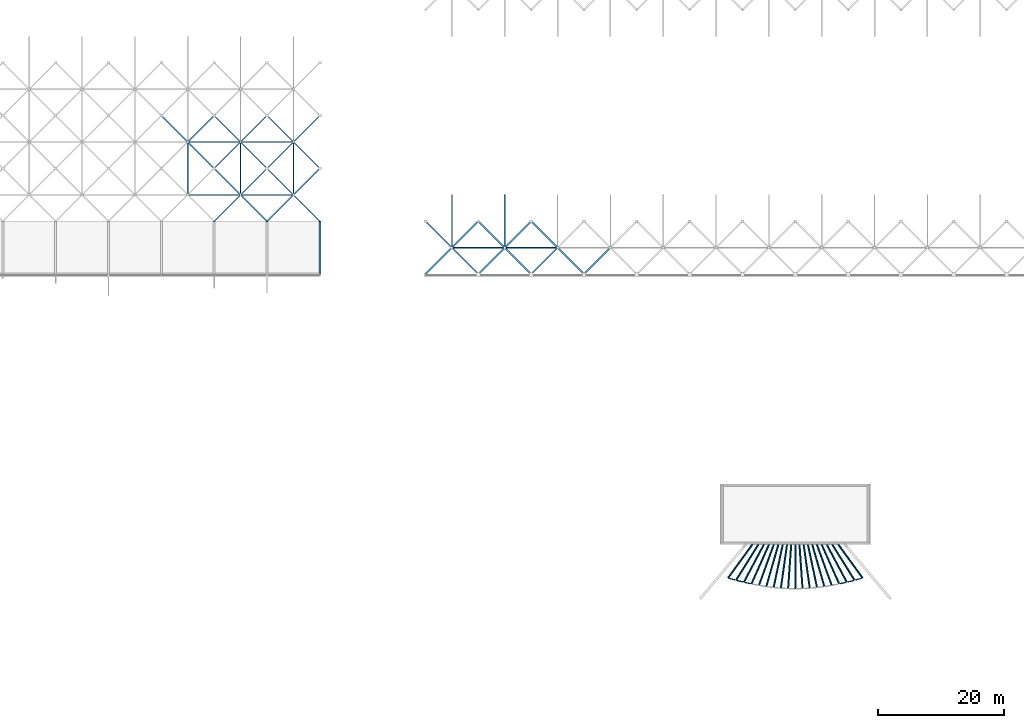
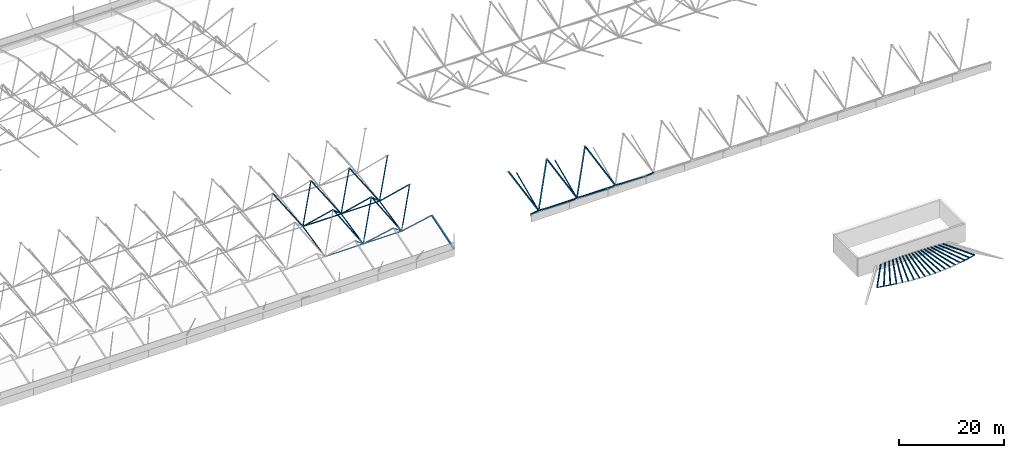
# One storey, part 17 of 85: 68 members.
"""IFC4 building model written with IfcOpenShell, lengths in metres."""

from ifc_helpers import new_model, si_unit, direction, frame, origin, origin_2d, place, context, subcontext, project, spatial, hollow_rectangle, hollow_circle, extrude, material, material_profile, profile_set, type_object, element, save


model = new_model("IFC4")

# Units and contexts
model_context = context("Model", 3, precision=1e-05, world=origin(), true_north=direction((0.0, 1.0)))
body_context = subcontext(model_context, "Body", "Model", "MODEL_VIEW")
ifc_project = project(units=[si_unit("LENGTHUNIT", "METRE"), si_unit("AREAUNIT", "SQUARE_METRE"), si_unit("VOLUMEUNIT", "CUBIC_METRE"), si_unit("PLANEANGLEUNIT", "RADIAN"), si_unit("MASSUNIT", "GRAM", prefix="KILO")], contexts=[model_context])

# Site, building, storey
site_placement = place(None, origin())
site = spatial("IfcSite", under=ifc_project, at=site_placement, CompositionType="ELEMENT")
building_placement = place(site_placement, origin())
building = spatial("IfcBuilding", under=site, at=building_placement, Name="Rain Tree Exposition and Congress Centre", CompositionType="ELEMENT")
storey_placement = place(building_placement, frame((0.0, 0.0, 15.0)))
storey = spatial("IfcBuildingStorey", under=building, at=storey_placement, Name="L03", CompositionType="ELEMENT", Elevation=15.0)

# Members
ifc_material_1 = material(Name="Steel S355J2H", Category="steel")
ifc_material_profile_1 = material_profile(ifc_material_1, hollow_rectangle(XDim=0.199951171875, YDim=0.199951171875, WallThickness=0.009033203125, at=origin_2d()), Name="RHS 200x200x9")
ifc_profile_set_1 = profile_set([ifc_material_profile_1], Name="Steel S355J2H")
member_type_1 = type_object("IfcMemberType", Name="Steel brace member RHS 200x200x9", PredefinedType="BRACE", material=ifc_profile_set_1)
member_1_placement = place(storey_placement, frame((113.39990234375, 113.39990234375, 0.732666015625), z_axis=(-0.55295469561, -0.55295469561, 0.62328341002), x_axis=(0.707106781187, -0.707106781187, 0.0)))
element("IfcMember", 1, at=member_1_placement, inside=storey, type_object=member_type_1, Name="Diagonal 518", PredefinedType="BRACE", context=body_context, shape_type="SweptSolid", body=[
    extrude(hollow_rectangle(XDim=0.199951171875, YDim=0.199951171875, WallThickness=0.009033203125, at=origin_2d()), origin(), (0.0, 0.0, 1.0), 7.595458984375),
])
member_2_placement = place(storey_placement, frame((113.39990234375, 113.39990234375, 0.732666015625), z_axis=(0.552977009953, -0.552944867602, 0.623272332016), x_axis=(0.70708622964, 0.707127332136, 0.0)))
element("IfcMember", 2, at=member_2_placement, inside=storey, type_object=member_type_1, Name="Diagonal 519", PredefinedType="BRACE", context=body_context, shape_type="SweptSolid", body=[
    extrude(hollow_rectangle(XDim=0.199951171875, YDim=0.199951171875, WallThickness=0.009033203125, at=origin_2d()), origin(), (0.0, 0.0, 1.0), 7.595703125),
])
for number, where, z_axis, x_axis, name in (
    (3, (113.39990234375, 113.39990234375, 0.732666015625), (-0.46355813556, 0.463585081915, 0.755117690682), (-0.707127332136, -0.70708622964, 0.0), "Diagonal 520"),
    (4, (113.39990234375, 113.39990234375, 0.732666015625), (0.46357929112, 0.46357929112, 0.755108258258), (-0.707106781187, 0.707106781187, 0.0), "Diagonal 521"),
):
    element("IfcMember", number, at=place(storey_placement, frame(where, z_axis=z_axis, x_axis=x_axis)), inside=storey, type_object=member_type_1, Name=name, PredefinedType="BRACE", context=body_context, shape_type="SweptSolid", body=[
        extrude(hollow_rectangle(XDim=0.199951171875, YDim=0.199951171875, WallThickness=0.009033203125, at=origin_2d()), origin(), (0.0, 0.0, 1.0), 9.060302734375),
    ])
for number, where, z_axis, x_axis, name in (
    (5, (121.800048828125, 113.39990234375, 0.732666015625), (-0.55295469561, -0.55295469561, 0.62328341002), (0.707106781187, -0.707106781187, 0.0), "Diagonal 524"),
    (6, (121.800048828125, 113.39990234375, 0.732666015625), (0.55295469561, -0.55295469561, 0.62328341002), (0.707106781187, 0.707106781187, 0.0), "Diagonal 525"),
):
    element("IfcMember", number, at=place(storey_placement, frame(where, z_axis=z_axis, x_axis=x_axis)), inside=storey, type_object=member_type_1, Name=name, PredefinedType="BRACE", context=body_context, shape_type="SweptSolid", body=[
        extrude(hollow_rectangle(XDim=0.199951171875, YDim=0.199951171875, WallThickness=0.009033203125, at=origin_2d()), origin(), (0.0, 0.0, 1.0), 7.595458984375),
    ])
for number, where, z_axis, x_axis, name in (
    (7, (121.800048828125, 113.39990234375, 0.732666015625), (-0.46355813556, 0.463585081915, 0.755117690682), (-0.707127332136, -0.70708622964, 0.0), "Diagonal 526"),
    (8, (121.800048828125, 113.39990234375, 0.732666015625), (0.46355813556, 0.463585081915, 0.755117690682), (-0.707127332136, 0.70708622964, 0.0), "Diagonal 527"),
):
    element("IfcMember", number, at=place(storey_placement, frame(where, z_axis=z_axis, x_axis=x_axis)), inside=storey, type_object=member_type_1, Name=name, PredefinedType="BRACE", context=body_context, shape_type="SweptSolid", body=[
        extrude(hollow_rectangle(XDim=0.199951171875, YDim=0.199951171875, WallThickness=0.009033203125, at=origin_2d()), origin(), (0.0, 0.0, 1.0), 9.060302734375),
    ])
member_3_placement = place(storey_placement, frame((105.0, 121.800048828125, 2.593505859375), z_axis=(0.541820128628, -0.541820128628, 0.642543303153), x_axis=(0.707106781187, 0.707106781187, 0.0)))
element("IfcMember", 9, at=member_3_placement, inside=storey, type_object=member_type_1, Name="Diagonal 596", PredefinedType="BRACE", context=body_context, shape_type="SweptSolid", body=[
    extrude(hollow_rectangle(XDim=0.199951171875, YDim=0.199951171875, WallThickness=0.009033203125, at=origin_2d()), origin(), (0.0, 0.0, 1.0), 7.75146484375),
])
for number, where, z_axis, x_axis, name in (
    (10, (105.0, 121.800048828125, 2.593505859375), (-0.473028594838, 0.473028594838, 0.743295295917), (-0.707106781187, -0.707106781187, 0.0), "Diagonal 597"),
    (11, (105.0, 121.800048828125, 2.593505859375), (0.473028594838, 0.473028594838, 0.743295295917), (-0.707106781187, 0.707106781187, 0.0), "Diagonal 598"),
):
    element("IfcMember", number, at=place(storey_placement, frame(where, z_axis=z_axis, x_axis=x_axis)), inside=storey, type_object=member_type_1, Name=name, PredefinedType="BRACE", context=body_context, shape_type="SweptSolid", body=[
        extrude(hollow_rectangle(XDim=0.199951171875, YDim=0.199951171875, WallThickness=0.009033203125, at=origin_2d()), origin(), (0.0, 0.0, 1.0), 8.87890625),
    ])
member_4_placement = place(storey_placement, frame((113.39990234375, 121.800048828125, 2.593505859375), z_axis=(-0.541820128628, -0.541820128628, 0.642543303153), x_axis=(0.707106781187, -0.707106781187, 0.0)))
element("IfcMember", 12, at=member_4_placement, inside=storey, type_object=member_type_1, Name="Diagonal 601", PredefinedType="BRACE", context=body_context, shape_type="SweptSolid", body=[
    extrude(hollow_rectangle(XDim=0.199951171875, YDim=0.199951171875, WallThickness=0.009033203125, at=origin_2d()), origin(), (0.0, 0.0, 1.0), 7.75146484375),
])
member_5_placement = place(storey_placement, frame((113.39990234375, 121.800048828125, 2.593505859375), z_axis=(0.541842377579, -0.54181088244, 0.642532338119), x_axis=(0.70708622964, 0.707127332136, 0.0)))
element("IfcMember", 13, at=member_5_placement, inside=storey, type_object=member_type_1, Name="Diagonal 602", PredefinedType="BRACE", context=body_context, shape_type="SweptSolid", body=[
    extrude(hollow_rectangle(XDim=0.199951171875, YDim=0.199951171875, WallThickness=0.009033203125, at=origin_2d()), origin(), (0.0, 0.0, 1.0), 7.751708984375),
])
for number, where, z_axis, x_axis, name in (
    (14, (113.39990234375, 121.800048828125, 2.593505859375), (-0.473028594838, 0.473028594838, 0.743295295917), (-0.707106781187, -0.707106781187, 0.0), "Diagonal 603"),
    (15, (113.39990234375, 121.800048828125, 2.593505859375), (0.473049938698, 0.473022442189, 0.743285627928), (-0.70708622964, 0.707127332136, 0.0), "Diagonal 604"),
):
    element("IfcMember", number, at=place(storey_placement, frame(where, z_axis=z_axis, x_axis=x_axis)), inside=storey, type_object=member_type_1, Name=name, PredefinedType="BRACE", context=body_context, shape_type="SweptSolid", body=[
        extrude(hollow_rectangle(XDim=0.199951171875, YDim=0.199951171875, WallThickness=0.009033203125, at=origin_2d()), origin(), (0.0, 0.0, 1.0), 8.87890625),
    ])
for number, where, z_axis, x_axis, name in (
    (16, (121.800048828125, 121.800048828125, 2.593505859375), (-0.541820128628, -0.541820128628, 0.642543303153), (0.707106781187, -0.707106781187, 0.0), "Diagonal 607"),
    (17, (121.800048828125, 121.800048828125, 2.593505859375), (0.541820128628, -0.541820128628, 0.642543303153), (0.707106781187, 0.707106781187, 0.0), "Diagonal 608"),
):
    element("IfcMember", number, at=place(storey_placement, frame(where, z_axis=z_axis, x_axis=x_axis)), inside=storey, type_object=member_type_1, Name=name, PredefinedType="BRACE", context=body_context, shape_type="SweptSolid", body=[
        extrude(hollow_rectangle(XDim=0.199951171875, YDim=0.199951171875, WallThickness=0.009033203125, at=origin_2d()), origin(), (0.0, 0.0, 1.0), 7.75146484375),
    ])
for number, where, z_axis, x_axis, name in (
    (18, (121.800048828125, 121.800048828125, 2.593505859375), (-0.473028594838, 0.473028594838, 0.743295295917), (-0.707106781187, -0.707106781187, 0.0), "Diagonal 609"),
    (19, (121.800048828125, 121.800048828125, 2.593505859375), (0.473028594838, 0.473028594838, 0.743295295917), (-0.707106781187, 0.707106781187, 0.0), "Diagonal 610"),
):
    element("IfcMember", number, at=place(storey_placement, frame(where, z_axis=z_axis, x_axis=x_axis)), inside=storey, type_object=member_type_1, Name=name, PredefinedType="BRACE", context=body_context, shape_type="SweptSolid", body=[
        extrude(hollow_rectangle(XDim=0.199951171875, YDim=0.199951171875, WallThickness=0.009033203125, at=origin_2d()), origin(), (0.0, 0.0, 1.0), 8.87890625),
    ])
ifc_material_2 = material(Name="Steel S355J2H", Category="steel")
ifc_material_profile_2 = material_profile(ifc_material_2, hollow_rectangle(XDim=0.25, YDim=0.25, WallThickness=0.006103515625, at=origin_2d()), Name="RHS 250x250x6")
ifc_profile_set_2 = profile_set([ifc_material_profile_2], Name="Steel S355J2H")
member_type_2 = type_object("IfcMemberType", Name="Steel brace member RHS 250x250x6", PredefinedType="BRACE", material=ifc_profile_set_2)
for number, where, z_axis, x_axis, name in (
    (20, (147.0, 105.0, 1.77294921875), (-0.627852053381, -0.627852053381, 0.460003910993), (0.707106781187, -0.707106781187, 0.0), "Diagonal 313"),
    (21, (147.0, 105.0, 1.77294921875), (0.627852053381, -0.627852053381, 0.460003910993), (0.707106781187, 0.707106781187, 0.0), "Diagonal 314"),
):
    element("IfcMember", number, at=place(storey_placement, frame(where, z_axis=z_axis, x_axis=x_axis)), inside=storey, type_object=member_type_2, Name=name, PredefinedType="BRACE", context=body_context, shape_type="SweptSolid", body=[
        extrude(hollow_rectangle(XDim=0.25, YDim=0.25, WallThickness=0.006103515625, at=origin_2d()), origin(), (0.0, 0.0, 1.0), 6.689453125),
    ])
for number, where, z_axis, x_axis, name in (
    (22, (147.0, 105.0, 1.77294921875), (-0.422505540408, 0.422505540408, 0.801859175073), (-0.707106781187, -0.707106781187, 0.0), "Diagonal 315"),
    (23, (147.0, 105.0, 1.77294921875), (0.422505540408, 0.422505540408, 0.801859175073), (-0.707106781187, 0.707106781187, 0.0), "Diagonal 316"),
):
    element("IfcMember", number, at=place(storey_placement, frame(where, z_axis=z_axis, x_axis=x_axis)), inside=storey, type_object=member_type_2, Name=name, PredefinedType="BRACE", context=body_context, shape_type="SweptSolid", body=[
        extrude(hollow_rectangle(XDim=0.25, YDim=0.25, WallThickness=0.006103515625, at=origin_2d()), origin(), (0.0, 0.0, 1.0), 9.940673828125),
    ])
for number, where, z_axis, x_axis, name in (
    (24, (155.39990234375, 105.0, 1.77294921875), (-0.627852053381, -0.627852053381, 0.460003910993), (0.707106781187, -0.707106781187, 0.0), "Diagonal 319"),
    (25, (155.39990234375, 105.0, 1.77294921875), (0.627874162364, -0.62783766654, 0.459993370288), (0.70708622964, 0.707127332136, 0.0), "Diagonal 320"),
):
    element("IfcMember", number, at=place(storey_placement, frame(where, z_axis=z_axis, x_axis=x_axis)), inside=storey, type_object=member_type_2, Name=name, PredefinedType="BRACE", context=body_context, shape_type="SweptSolid", body=[
        extrude(hollow_rectangle(XDim=0.25, YDim=0.25, WallThickness=0.006103515625, at=origin_2d()), origin(), (0.0, 0.0, 1.0), 6.689453125),
    ])
for number, where, z_axis, x_axis, name in (
    (26, (155.39990234375, 105.0, 1.77294921875), (-0.422505540408, 0.422505540408, 0.801859175073), (-0.707106781187, -0.707106781187, 0.0), "Diagonal 321"),
    (27, (155.39990234375, 105.0, 1.77294921875), (0.422525715859, 0.422501156122, 0.801850854283), (-0.70708622964, 0.707127332136, 0.0), "Diagonal 322"),
):
    element("IfcMember", number, at=place(storey_placement, frame(where, z_axis=z_axis, x_axis=x_axis)), inside=storey, type_object=member_type_2, Name=name, PredefinedType="BRACE", context=body_context, shape_type="SweptSolid", body=[
        extrude(hollow_rectangle(XDim=0.25, YDim=0.25, WallThickness=0.006103515625, at=origin_2d()), origin(), (0.0, 0.0, 1.0), 9.940673828125),
    ])
for number, where, z_axis, x_axis, name in (
    (28, (163.800048828125, 105.0, 1.77294921875), (-0.627852053381, -0.627852053381, 0.460003910993), (0.707106781187, -0.707106781187, 0.0), "Diagonal 325"),
    (29, (163.800048828125, 105.0, 1.77294921875), (0.627852053381, -0.627852053381, 0.460003910993), (0.707106781187, 0.707106781187, 0.0), "Diagonal 326"),
):
    element("IfcMember", number, at=place(storey_placement, frame(where, z_axis=z_axis, x_axis=x_axis)), inside=storey, type_object=member_type_2, Name=name, PredefinedType="BRACE", context=body_context, shape_type="SweptSolid", body=[
        extrude(hollow_rectangle(XDim=0.25, YDim=0.25, WallThickness=0.006103515625, at=origin_2d()), origin(), (0.0, 0.0, 1.0), 6.689453125),
    ])
member_6_placement = place(storey_placement, frame((163.800048828125, 105.0, 1.77294921875), z_axis=(-0.422505540408, 0.422505540408, 0.801859175073), x_axis=(-0.707106781187, -0.707106781187, 0.0)))
element("IfcMember", 30, at=member_6_placement, inside=storey, type_object=member_type_2, Name="Diagonal 327", PredefinedType="BRACE", context=body_context, shape_type="SweptSolid", body=[
    extrude(hollow_rectangle(XDim=0.25, YDim=0.25, WallThickness=0.006103515625, at=origin_2d()), origin(), (0.0, 0.0, 1.0), 9.940673828125),
])
member_7_placement = place(storey_placement, frame((172.199951171875, 105.0, 1.77294921875), z_axis=(-0.627852053381, -0.627852053381, 0.460003910993), x_axis=(0.707106781187, -0.707106781187, 0.0)))
element("IfcMember", 31, at=member_7_placement, inside=storey, type_object=member_type_2, Name="Diagonal 331", PredefinedType="BRACE", context=body_context, shape_type="SweptSolid", body=[
    extrude(hollow_rectangle(XDim=0.25, YDim=0.25, WallThickness=0.006103515625, at=origin_2d()), origin(), (0.0, 0.0, 1.0), 6.689453125),
])
ifc_material_3 = material(Name="Steel S355J2H", Category="steel")
ifc_material_profile_3 = material_profile(ifc_material_3, hollow_circle(Radius=0.1591796875, WallThickness=0.010009765625, at=origin_2d()), Name="CHS 318x10")
ifc_profile_set_3 = profile_set([ifc_material_profile_3], Name="Steel S355J2H")
member_type_3 = type_object("IfcMemberType", Name="Steel chord member CHS 318x10", PredefinedType="CHORD", material=ifc_profile_set_3)
member_8_placement = place(storey_placement, frame((190.899169921875, 52.4716796875, 0.44091796875), z_axis=(0.584112335372, 0.803940349043, 0.111770724462), x_axis=(-0.80900958585, 0.587795449117, 0.0)))
element("IfcMember", 32, at=member_8_placement, inside=storey, type_object=member_type_3, Name="TT1-6", PredefinedType="CHORD", context=body_context, shape_type="SweptSolid", body=[
    extrude(hollow_circle(Radius=0.1591796875, WallThickness=0.010009765625, at=origin_2d()), origin(), (0.0, 0.0, 1.0), 6.640380859375),
])
member_9_placement = place(storey_placement, frame((192.17919921875, 52.123291015625, 0.489013671875), z_axis=(0.526569065648, 0.842749295461, 0.111797334949), x_axis=(-0.84806579624, 0.529890937126, 0.0)))
element("IfcMember", 33, at=member_9_placement, inside=storey, type_object=member_type_3, Name="TT2-6", PredefinedType="CHORD", context=body_context, shape_type="SweptSolid", body=[
    extrude(hollow_circle(Radius=0.1591796875, WallThickness=0.010009765625, at=origin_2d()), origin(), (0.0, 0.0, 1.0), 6.747802734375),
])
member_10_placement = place(storey_placement, frame((193.418212890625, 51.81201171875, 0.5283203125), z_axis=(0.466500188028, 0.877428925086, 0.111785759342), x_axis=(-0.882963045938, 0.469442498618, 0.0)))
element("IfcMember", 34, at=member_10_placement, inside=storey, type_object=member_type_3, Name="TT3-6", PredefinedType="CHORD", context=body_context, shape_type="SweptSolid", body=[
    extrude(hollow_circle(Radius=0.1591796875, WallThickness=0.010009765625, at=origin_2d()), origin(), (0.0, 0.0, 1.0), 6.8359375),
])
member_11_placement = place(storey_placement, frame((194.62744140625, 51.539306640625, 0.560302734375), z_axis=(0.4041647108, 0.907824276073, 0.111830095756), x_axis=(-0.913554692478, 0.406715900661, 0.0)))
element("IfcMember", 35, at=member_11_placement, inside=storey, type_object=member_type_3, Name="TT4-6", PredefinedType="CHORD", context=body_context, shape_type="SweptSolid", body=[
    extrude(hollow_circle(Radius=0.1591796875, WallThickness=0.010009765625, at=origin_2d()), origin(), (0.0, 0.0, 1.0), 6.907470703125),
])
member_12_placement = place(storey_placement, frame((195.81494140625, 51.305908203125, 0.586181640625), z_axis=(0.339891280094, 0.933798452408, 0.111778208953), x_axis=(-0.939687304086, 0.342034750487, 0.0)))
element("IfcMember", 36, at=member_12_placement, inside=storey, type_object=member_type_3, Name="TT5-6", PredefinedType="CHORD", context=body_context, shape_type="SweptSolid", body=[
    extrude(hollow_circle(Radius=0.1591796875, WallThickness=0.010009765625, at=origin_2d()), origin(), (0.0, 0.0, 1.0), 6.96533203125),
])
member_13_placement = place(storey_placement, frame((196.9873046875, 51.113525390625, 0.606201171875), z_axis=(0.273904047009, 0.955233834126, 0.111825288613), x_axis=(-0.961262988359, 0.275632848571, 0.0)))
element("IfcMember", 37, at=member_13_placement, inside=storey, type_object=member_type_3, Name="TT6-6", PredefinedType="CHORD", context=body_context, shape_type="SweptSolid", body=[
    extrude(hollow_circle(Radius=0.1591796875, WallThickness=0.010009765625, at=origin_2d()), origin(), (0.0, 0.0, 1.0), 7.01025390625),
])
member_14_placement = place(storey_placement, frame((198.148681640625, 50.962890625, 0.62158203125), z_axis=(0.206596900837, 0.972020916099, 0.111772354504), x_axis=(-0.978150163492, 0.207899633622, 0.0)))
element("IfcMember", 38, at=member_14_placement, inside=storey, type_object=member_type_3, Name="TT7-6", PredefinedType="CHORD", context=body_context, shape_type="SweptSolid", body=[
    extrude(hollow_circle(Radius=0.1591796875, WallThickness=0.010009765625, at=origin_2d()), origin(), (0.0, 0.0, 1.0), 7.044189453125),
])
member_15_placement = place(storey_placement, frame((199.302734375, 50.854736328125, 0.632080078125), z_axis=(0.138305418871, 0.984061707846, 0.11177730656), x_axis=(-0.990267435614, 0.13917760582, 0.0)))
element("IfcMember", 39, at=member_15_placement, inside=storey, type_object=member_type_3, Name="TT8-6", PredefinedType="CHORD", context=body_context, shape_type="SweptSolid", body=[
    extrude(hollow_circle(Radius=0.1591796875, WallThickness=0.010009765625, at=origin_2d()), origin(), (0.0, 0.0, 1.0), 7.06787109375),
])
member_16_placement = place(storey_placement, frame((200.452392578125, 50.789794921875, 0.63818359375), z_axis=(0.069327881216, 0.991309410428, 0.111800257973), x_axis=(-0.997563435782, 0.069765260628, 0.0)))
element("IfcMember", 40, at=member_16_placement, inside=storey, type_object=member_type_3, Name="TT9-6", PredefinedType="CHORD", context=body_context, shape_type="SweptSolid", body=[
    extrude(hollow_circle(Radius=0.1591796875, WallThickness=0.010009765625, at=origin_2d()), origin(), (0.0, 0.0, 1.0), 7.081787109375),
])
member_17_placement = place(storey_placement, frame((201.60009765625, 50.76806640625, 0.640380859375), z_axis=(0.0, 0.993731124787, 0.111796474134), x_axis=(-1.0, 0.0, 0.0)))
element("IfcMember", 41, at=member_17_placement, inside=storey, type_object=member_type_3, Name="TT10-6", PredefinedType="CHORD", context=body_context, shape_type="SweptSolid", body=[
    extrude(hollow_circle(Radius=0.1591796875, WallThickness=0.010009765625, at=origin_2d()), origin(), (0.0, 0.0, 1.0), 7.08642578125),
])
member_18_placement = place(storey_placement, frame((202.74755859375, 50.789794921875, 0.63818359375), z_axis=(-0.069327881216, 0.991309410428, 0.111800257973), x_axis=(-0.997563435782, -0.069765260628, 0.0)))
element("IfcMember", 42, at=member_18_placement, inside=storey, type_object=member_type_3, Name="TT11-6", PredefinedType="CHORD", context=body_context, shape_type="SweptSolid", body=[
    extrude(hollow_circle(Radius=0.1591796875, WallThickness=0.010009765625, at=origin_2d()), origin(), (0.0, 0.0, 1.0), 7.081787109375),
])
member_19_placement = place(storey_placement, frame((203.897216796875, 50.854736328125, 0.632080078125), z_axis=(-0.138305418871, 0.984061707846, 0.11177730656), x_axis=(-0.990267435614, -0.13917760582, 0.0)))
element("IfcMember", 43, at=member_19_placement, inside=storey, type_object=member_type_3, Name="TT12-6", PredefinedType="CHORD", context=body_context, shape_type="SweptSolid", body=[
    extrude(hollow_circle(Radius=0.1591796875, WallThickness=0.010009765625, at=origin_2d()), origin(), (0.0, 0.0, 1.0), 7.06787109375),
])
member_20_placement = place(storey_placement, frame((205.05126953125, 50.962890625, 0.62158203125), z_axis=(-0.206596900837, 0.972020916099, 0.111772354504), x_axis=(-0.978150163492, -0.207899633622, 0.0)))
element("IfcMember", 44, at=member_20_placement, inside=storey, type_object=member_type_3, Name="TT13-6", PredefinedType="CHORD", context=body_context, shape_type="SweptSolid", body=[
    extrude(hollow_circle(Radius=0.1591796875, WallThickness=0.010009765625, at=origin_2d()), origin(), (0.0, 0.0, 1.0), 7.044189453125),
])
member_21_placement = place(storey_placement, frame((206.212646484375, 51.113525390625, 0.606201171875), z_axis=(-0.273904047009, 0.955233834126, 0.111825288613), x_axis=(-0.961262988359, -0.275632848571, 0.0)))
element("IfcMember", 45, at=member_21_placement, inside=storey, type_object=member_type_3, Name="TT14-6", PredefinedType="CHORD", context=body_context, shape_type="SweptSolid", body=[
    extrude(hollow_circle(Radius=0.1591796875, WallThickness=0.010009765625, at=origin_2d()), origin(), (0.0, 0.0, 1.0), 7.01025390625),
])
member_22_placement = place(storey_placement, frame((207.385009765625, 51.305908203125, 0.586181640625), z_axis=(-0.339891280094, 0.933798452408, 0.111778208953), x_axis=(-0.939687304086, -0.342034750487, 0.0)))
element("IfcMember", 46, at=member_22_placement, inside=storey, type_object=member_type_3, Name="TT15-6", PredefinedType="CHORD", context=body_context, shape_type="SweptSolid", body=[
    extrude(hollow_circle(Radius=0.1591796875, WallThickness=0.010009765625, at=origin_2d()), origin(), (0.0, 0.0, 1.0), 6.96533203125),
])
member_23_placement = place(storey_placement, frame((208.572509765625, 51.539306640625, 0.560302734375), z_axis=(-0.4041647108, 0.907824276073, 0.111830095756), x_axis=(-0.913554692478, -0.406715900661, 0.0)))
element("IfcMember", 47, at=member_23_placement, inside=storey, type_object=member_type_3, Name="TT16-6", PredefinedType="CHORD", context=body_context, shape_type="SweptSolid", body=[
    extrude(hollow_circle(Radius=0.1591796875, WallThickness=0.010009765625, at=origin_2d()), origin(), (0.0, 0.0, 1.0), 6.907470703125),
])
member_24_placement = place(storey_placement, frame((209.781982421875, 51.81201171875, 0.5283203125), z_axis=(-0.466528129397, 0.877414306288, 0.111783896885), x_axis=(-0.882948148784, -0.469470517241, 0.0)))
element("IfcMember", 48, at=member_24_placement, inside=storey, type_object=member_type_3, Name="TT17-6", PredefinedType="CHORD", context=body_context, shape_type="SweptSolid", body=[
    extrude(hollow_circle(Radius=0.1591796875, WallThickness=0.010009765625, at=origin_2d()), origin(), (0.0, 0.0, 1.0), 6.8359375),
])
member_25_placement = place(storey_placement, frame((211.02099609375, 52.123291015625, 0.489013671875), z_axis=(-0.526595213358, 0.842733239762, 0.111795205034), x_axis=(-0.848049434763, -0.52991712201, 0.0)))
element("IfcMember", 49, at=member_25_placement, inside=storey, type_object=member_type_3, Name="TT18-6", PredefinedType="CHORD", context=body_context, shape_type="SweptSolid", body=[
    extrude(hollow_circle(Radius=0.1591796875, WallThickness=0.010009765625, at=origin_2d()), origin(), (0.0, 0.0, 1.0), 6.748046875),
])
member_26_placement = place(storey_placement, frame((212.30078125, 52.4716796875, 0.44091796875), z_axis=(-0.584112335372, 0.803940349043, 0.111770724462), x_axis=(-0.80900958585, -0.587795449117, 0.0)))
element("IfcMember", 50, at=member_26_placement, inside=storey, type_object=member_type_3, Name="TT19-6", PredefinedType="CHORD", context=body_context, shape_type="SweptSolid", body=[
    extrude(hollow_circle(Radius=0.1591796875, WallThickness=0.010009765625, at=origin_2d()), origin(), (0.0, 0.0, 1.0), 6.640380859375),
])
ifc_material_4 = material(Name="Steel S355J2H", Category="steel")
ifc_material_profile_4 = material_profile(ifc_material_4, hollow_rectangle(XDim=0.14990234375, YDim=0.14990234375, WallThickness=0.00439453125, at=origin_2d()), Name="RHS 150x150x4.5")
ifc_profile_set_4 = profile_set([ifc_material_profile_4], Name="Steel S355J2H")
member_type_4 = type_object("IfcMemberType", Name="Steel chord member RHS 150x150x4.5", PredefinedType="CHORD", material=ifc_profile_set_4)
member_27_placement = place(storey_placement, frame((147.0, 105.0, 1.77294921875), z_axis=(1.0, 0.0, 0.0), x_axis=(0.0, 1.0, 0.0)))
element("IfcMember", 51, at=member_27_placement, inside=storey, type_object=member_type_4, Name="Bottom chord 317", PredefinedType="CHORD", context=body_context, shape_type="SweptSolid", body=[
    extrude(hollow_rectangle(XDim=0.14990234375, YDim=0.14990234375, WallThickness=0.00439453125, at=origin_2d()), origin(), (0.0, 0.0, 1.0), 8.39990234375),
])
member_28_placement = place(storey_placement, frame((155.39990234375, 105.0, 1.77294921875), z_axis=(1.0, 0.0, 0.0), x_axis=(0.0, 1.0, 0.0)))
element("IfcMember", 52, at=member_28_placement, inside=storey, type_object=member_type_4, Name="Bottom chord 323", PredefinedType="CHORD", context=body_context, shape_type="SweptSolid", body=[
    extrude(hollow_rectangle(XDim=0.14990234375, YDim=0.14990234375, WallThickness=0.00439453125, at=origin_2d()), origin(), (0.0, 0.0, 1.0), 8.400146484375),
])
ifc_material_5 = material(Name="Steel S355J2H", Category="steel")
ifc_material_profile_5 = material_profile(ifc_material_5, hollow_rectangle(XDim=0.175048828125, YDim=0.175048828125, WallThickness=0.006103515625, at=origin_2d()), Name="RHS 175x175x6")
ifc_profile_set_5 = profile_set([ifc_material_profile_5], Name="Steel S355J2H")
member_type_5 = type_object("IfcMemberType", Name="Steel chord member RHS 175x175x6", PredefinedType="CHORD", material=ifc_profile_set_5)
member_29_placement = place(storey_placement, frame((105.0, 113.39990234375, 0.732666015625), z_axis=(1.0, 0.0, 0.0), x_axis=(0.0, 1.0, 0.0)))
element("IfcMember", 53, at=member_29_placement, inside=storey, type_object=member_type_5, Name="Bottom chord 516", PredefinedType="CHORD", context=body_context, shape_type="SweptSolid", body=[
    extrude(hollow_rectangle(XDim=0.175048828125, YDim=0.175048828125, WallThickness=0.006103515625, at=origin_2d()), origin(), (0.0, 0.0, 1.0), 8.39990234375),
])
member_30_placement = place(storey_placement, frame((105.0, 113.39990234375, 0.732666015625), z_axis=(0.0, 0.976331061019, 0.216281435379), x_axis=(-1.0, 0.0, 0.0)))
element("IfcMember", 54, at=member_30_placement, inside=storey, type_object=member_type_5, Name="Bottom chord 517", PredefinedType="CHORD", context=body_context, shape_type="SweptSolid", body=[
    extrude(hollow_rectangle(XDim=0.175048828125, YDim=0.175048828125, WallThickness=0.006103515625, at=origin_2d()), origin(), (0.0, 0.0, 1.0), 8.603759765625),
])
member_31_placement = place(storey_placement, frame((113.39990234375, 113.39990234375, 0.732666015625), z_axis=(1.0, 0.0, 0.0), x_axis=(0.0, 1.0, 0.0)))
element("IfcMember", 55, at=member_31_placement, inside=storey, type_object=member_type_5, Name="Bottom chord 522", PredefinedType="CHORD", context=body_context, shape_type="SweptSolid", body=[
    extrude(hollow_rectangle(XDim=0.175048828125, YDim=0.175048828125, WallThickness=0.006103515625, at=origin_2d()), origin(), (0.0, 0.0, 1.0), 8.400146484375),
])
for number, where, z_axis, x_axis, name in (
    (56, (113.39990234375, 113.39990234375, 0.732666015625), (0.0, 0.976331061019, 0.216281435379), (-1.0, 0.0, 0.0), "Bottom chord 523"),
    (57, (121.800048828125, 113.39990234375, 0.732666015625), (0.0, 0.976331061019, 0.216281435379), (-1.0, 0.0, 0.0), "Bottom chord 528"),
):
    element("IfcMember", number, at=place(storey_placement, frame(where, z_axis=z_axis, x_axis=x_axis)), inside=storey, type_object=member_type_5, Name=name, PredefinedType="CHORD", context=body_context, shape_type="SweptSolid", body=[
        extrude(hollow_rectangle(XDim=0.175048828125, YDim=0.175048828125, WallThickness=0.006103515625, at=origin_2d()), origin(), (0.0, 0.0, 1.0), 8.603759765625),
    ])
member_32_placement = place(storey_placement, frame((105.0, 121.800048828125, 2.593505859375), z_axis=(1.0, 0.0, 0.0), x_axis=(0.0, 1.0, 0.0)))
element("IfcMember", 58, at=member_32_placement, inside=storey, type_object=member_type_5, Name="Bottom chord 599", PredefinedType="CHORD", context=body_context, shape_type="SweptSolid", body=[
    extrude(hollow_rectangle(XDim=0.175048828125, YDim=0.175048828125, WallThickness=0.006103515625, at=origin_2d()), origin(), (0.0, 0.0, 1.0), 8.39990234375),
])
member_33_placement = place(storey_placement, frame((113.39990234375, 121.800048828125, 2.593505859375), z_axis=(1.0, 0.0, 0.0), x_axis=(0.0, 1.0, 0.0)))
element("IfcMember", 59, at=member_33_placement, inside=storey, type_object=member_type_5, Name="Bottom chord 605", PredefinedType="CHORD", context=body_context, shape_type="SweptSolid", body=[
    extrude(hollow_rectangle(XDim=0.175048828125, YDim=0.175048828125, WallThickness=0.006103515625, at=origin_2d()), origin(), (0.0, 0.0, 1.0), 8.400146484375),
])
for number, where, z_axis, x_axis, name in (
    (60, (147.0, 105.0, 1.77294921875), (0.0, 0.915468371114, 0.402389937114), (-1.0, 0.0, 0.0), "Bottom chord 318"),
    (61, (155.39990234375, 105.0, 1.77294921875), (0.0, 0.915468371114, 0.402389937114), (-1.0, 0.0, 0.0), "Bottom chord 324"),
):
    element("IfcMember", number, at=place(storey_placement, frame(where, z_axis=z_axis, x_axis=x_axis)), inside=storey, type_object=member_type_5, Name=name, PredefinedType="CHORD", context=body_context, shape_type="SweptSolid", body=[
        extrude(hollow_rectangle(XDim=0.175048828125, YDim=0.175048828125, WallThickness=0.006103515625, at=origin_2d()), origin(), (0.0, 0.0, 1.0), 9.175537109375),
    ])
ifc_material_6 = material(Name="Steel S355J2H", Category="steel")
ifc_material_profile_6 = material_profile(ifc_material_6, hollow_rectangle(XDim=0.300048828125, YDim=0.300048828125, WallThickness=0.009033203125, at=origin_2d()), Name="RHS 300x300x9")
ifc_profile_set_6 = profile_set([ifc_material_profile_6], Name="Steel S355J2H")
member_type_6 = type_object("IfcMemberType", Name="Steel chord member RHS 300x300x9", PredefinedType="CHORD", material=ifc_profile_set_6)
member_34_placement = place(storey_placement, frame((126.0, 100.800048828125, 2.85009765625), z_axis=(0.0, 0.954747213001, 0.297418491802), x_axis=(-1.0, 0.0, 0.0)))
element("IfcMember", 62, at=member_34_placement, inside=storey, type_object=member_type_6, Name="Top chord 351", PredefinedType="CHORD", context=body_context, shape_type="SweptSolid", body=[
    extrude(hollow_rectangle(XDim=0.300048828125, YDim=0.300048828125, WallThickness=0.009033203125, at=origin_2d()), origin(), (0.0, 0.0, 1.0), 8.798095703125),
])
ifc_material_7 = material(Name="Steel S355J2H", Category="steel")
ifc_material_profile_7 = material_profile(ifc_material_7, hollow_circle(Radius=0.06982421875, WallThickness=0.0048828125, at=origin_2d()), Name="CHS 140x5")
ifc_profile_set_7 = profile_set([ifc_material_profile_7], Name="Steel S355J2H")
member_type_7 = type_object("IfcMemberType", Name="Steel purlin member CHS 140x5", PredefinedType="PURLIN", material=ifc_profile_set_7)
member_35_placement = place(storey_placement, frame((191.052978515625, 52.4296875, 0.44677734375), z_axis=(0.964336705268, -0.262208549286, 0.036074860428), x_axis=(0.262379334518, 0.964964810145, 0.0)))
element("IfcMember", 63, at=member_35_placement, inside=storey, type_object=member_type_7, Name="PU1-5", PredefinedType="PURLIN", context=body_context, shape_type="SweptSolid", body=[
    extrude(hollow_circle(Radius=0.06982421875, WallThickness=0.0048828125, at=origin_2d()), origin(), (0.0, 0.0, 1.0), 1.00830078125),
])
member_36_placement = place(storey_placement, frame((192.33349609375, 52.084716796875, 0.493896484375), z_axis=(0.969352526984, -0.243737459541, 0.030785211487), x_axis=(0.243853040261, 0.969812195611, 0.0)))
element("IfcMember", 64, at=member_36_placement, inside=storey, type_object=member_type_7, Name="PU2-5", PredefinedType="PURLIN", context=body_context, shape_type="SweptSolid", body=[
    extrude(hollow_circle(Radius=0.06982421875, WallThickness=0.0048828125, at=origin_2d()), origin(), (0.0, 0.0, 1.0), 0.95947265625),
])
for number, where, z_axis, x_axis, name in (
    (65, (193.573486328125, 51.777099609375, 0.532470703125), (0.97511023201, -0.220194729022, 0.025967609439), (0.220269007085, 0.97543916495, 0.0), "PU3-5"),
    (66, (208.72802734375, 51.57421875, 0.556396484375), (0.97511023201, 0.220194729022, -0.025967609439), (-0.220269007085, 0.97543916495, 0.0), "PU16-5"),
):
    element("IfcMember", number, at=place(storey_placement, frame(where, z_axis=z_axis, x_axis=x_axis)), inside=storey, type_object=member_type_7, Name=name, PredefinedType="PURLIN", context=body_context, shape_type="SweptSolid", body=[
        extrude(hollow_circle(Radius=0.06982421875, WallThickness=0.0048828125, at=origin_2d()), origin(), (0.0, 0.0, 1.0), 0.92138671875),
    ])
member_37_placement = place(storey_placement, frame((209.936279296875, 51.850830078125, 0.5234375), z_axis=(0.969352526984, 0.243737459541, -0.030785211487), x_axis=(-0.243853040261, 0.969812195611, 0.0)))
element("IfcMember", 67, at=member_37_placement, inside=storey, type_object=member_type_7, Name="PU17-5", PredefinedType="PURLIN", context=body_context, shape_type="SweptSolid", body=[
    extrude(hollow_circle(Radius=0.06982421875, WallThickness=0.0048828125, at=origin_2d()), origin(), (0.0, 0.0, 1.0), 0.95947265625),
])
member_38_placement = place(storey_placement, frame((211.174560546875, 52.165283203125, 0.483154296875), z_axis=(0.964353660499, 0.262147342952, -0.036066439612), x_axis=(-0.262318008537, 0.96498148293, 0.0)))
element("IfcMember", 68, at=member_38_placement, inside=storey, type_object=member_type_7, Name="PU18-5", PredefinedType="PURLIN", context=body_context, shape_type="SweptSolid", body=[
    extrude(hollow_circle(Radius=0.06982421875, WallThickness=0.0048828125, at=origin_2d()), origin(), (0.0, 0.0, 1.0), 1.008544921875),
])

save(model, "model.ifc")
